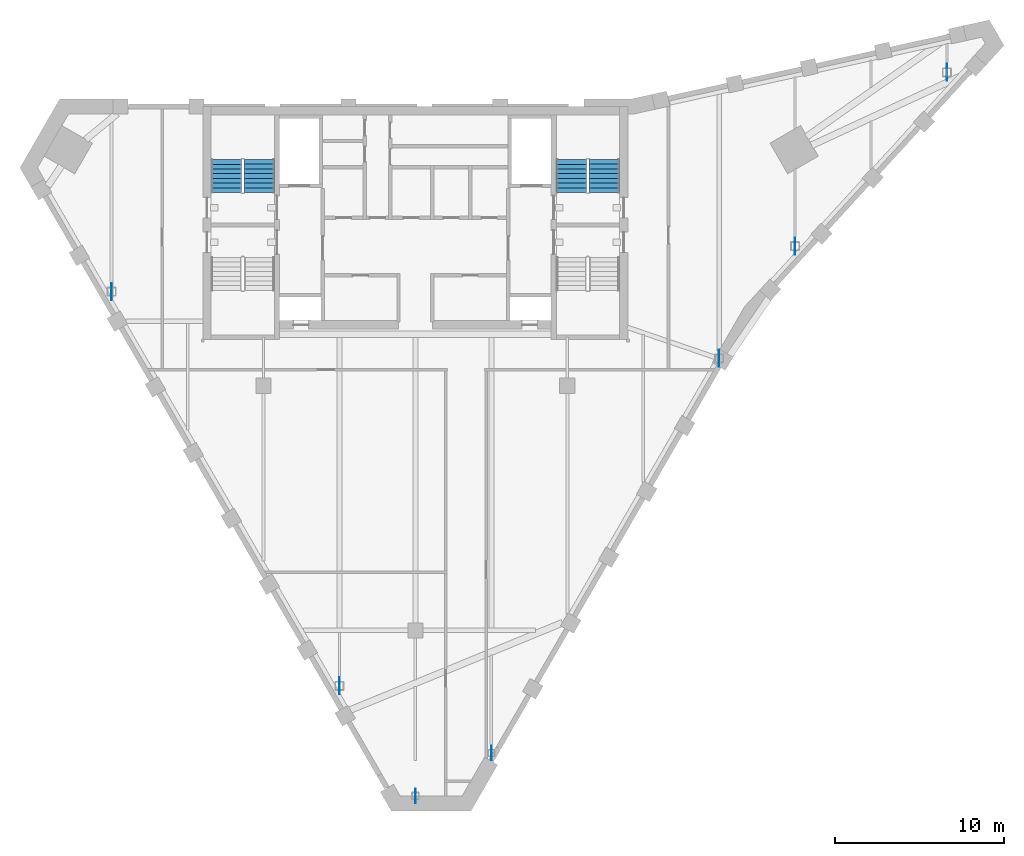
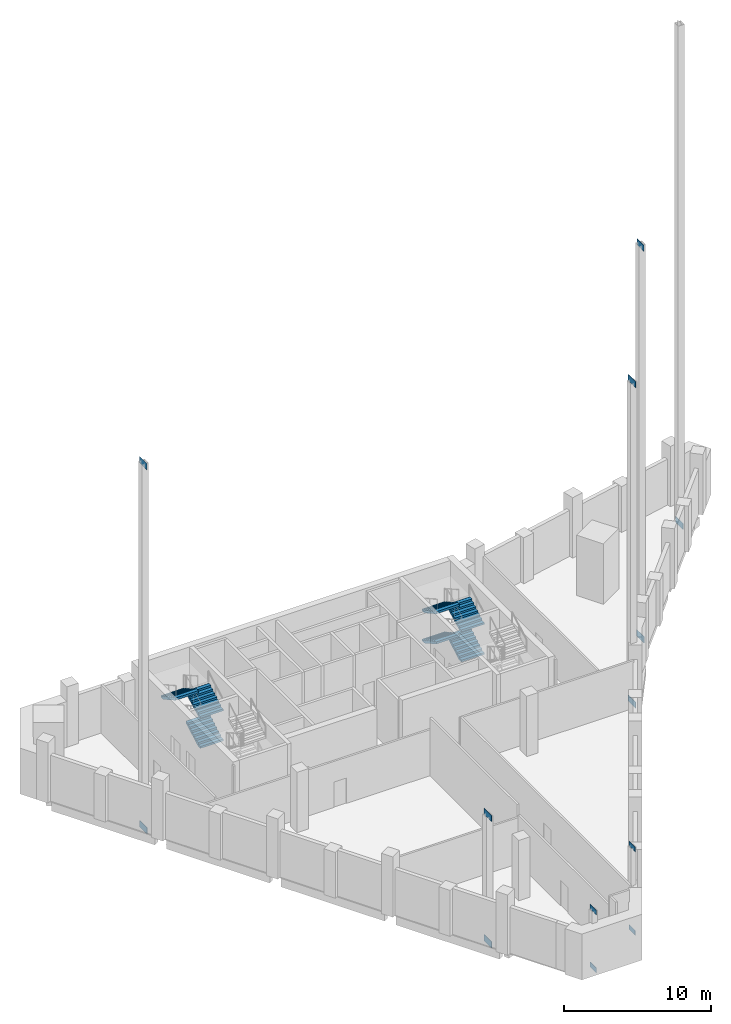
# One storey, part 8 of 11: 13 discrete accessories, 7 stair flights, 2 elements without a shape of their own.
"""IFC4 building model written with IfcOpenShell, lengths in metres."""

import ifcopenshell
import ifcopenshell.guid

model = None  # the IFC model being written
_history = None  # IfcOwnerHistory: only IFC2X3 demands one
_inside = {}  # id of a spatial element -> (the spatial element, [elements in it])
_under = {}  # id of a project, library or spatial element -> (it, [spatial elements below it])
_declared = {}  # id of a project -> (the project, [libraries it declares])
_typed = {}  # id of a type object -> (the type object, [elements of that type])
_made_of = {}  # id of a material, layer set ... -> (it, [elements and type objects made of it])


def new_model(schema):
    """Start an empty IFC model of exactly this schema.

    Asked for "IFC4X3", IfcOpenShell would pick the latest addendum, in which some entities
    have other attributes; the version numbers below select the first issue.
    IFC2X3 requires an IfcOwnerHistory on every rooted entity: one is made here for all.
    """
    global model, _history
    if schema == "IFC4X3":
        model = ifcopenshell.file(schema_version=(4, 3, 0, 0))
    else:
        model = ifcopenshell.file(schema=schema)
    _inside.clear()
    _under.clear()
    _declared.clear()
    _typed.clear()
    _made_of.clear()
    _history = None
    if model.schema == "IFC2X3":
        org = make("IfcOrganization", Name="unknown")
        user = make(
            "IfcPersonAndOrganization",
            ThePerson=make("IfcPerson", FamilyName="unknown"),
            TheOrganization=org,
        )
        app = make(
            "IfcApplication",
            ApplicationDeveloper=org,
            Version="unknown",
            ApplicationFullName="unknown",
            ApplicationIdentifier="unknown",
        )
        _history = make(
            "IfcOwnerHistory",
            OwningUser=user,
            OwningApplication=app,
            ChangeAction="ADDED",
            CreationDate=0,
        )
    return model


def make(cls, **values):
    """One entity of the class cls with the attributes given. An attribute that is None is left unset."""
    return model.create_entity(
        cls, **{name: value for name, value in values.items() if value is not None}
    )


def rooted(cls, **values):
    """An entity with a GlobalId (a new one), such as an element, a storey or a relation."""
    return make(cls, GlobalId=ifcopenshell.guid.new(), OwnerHistory=_history, **values)


def si_unit(unit_type, name, prefix=None):
    """IfcSIUnit, for example si_unit("LENGTHUNIT", "METRE", prefix="MILLI")."""
    return make("IfcSIUnit", UnitType=unit_type, Prefix=prefix, Name=name)


def assignment(units):
    """IfcUnitAssignment: the units of a project."""
    return None if units is None else make("IfcUnitAssignment", Units=units)


def point(xyz):
    """IfcCartesianPoint."""
    return None if xyz is None else make("IfcCartesianPoint", Coordinates=xyz)


def direction(xyz):
    """IfcDirection."""
    return None if xyz is None else make("IfcDirection", DirectionRatios=xyz)


def frame(location, z_axis=None, x_axis=None):
    """IfcAxis2Placement3D, a coordinate frame: its origin and axes. An axis left out is left unset."""
    return make(
        "IfcAxis2Placement3D",
        Location=point(location),
        Axis=direction(z_axis),
        RefDirection=direction(x_axis),
    )


def frame_2d(location, x_axis=None):
    """IfcAxis2Placement2D, a coordinate frame in the plane: its origin and x axis."""
    return make(
        "IfcAxis2Placement2D", Location=point(location), RefDirection=direction(x_axis)
    )


def origin():
    """The frame at (0, 0, 0) with its axes left unset."""
    return frame((0.0, 0.0, 0.0))


def origin_2d():
    """The frame at (0, 0) in the plane with its x axis left unset."""
    return frame_2d((0.0, 0.0))


def place(relative_to, where):
    """IfcLocalPlacement: puts the frame where relative to a parent placement (None: the world)."""
    return make(
        "IfcLocalPlacement", PlacementRelTo=relative_to, RelativePlacement=where
    )


def context(
    kind, dimensions, precision=None, world=None, true_north=None, identifier=None
):
    """IfcGeometricRepresentationContext, for example the 3D "Model" context."""
    return make(
        "IfcGeometricRepresentationContext",
        ContextIdentifier=identifier,
        ContextType=kind,
        CoordinateSpaceDimension=dimensions,
        Precision=precision,
        WorldCoordinateSystem=world,
        TrueNorth=true_north,
    )


def subcontext(parent, identifier, kind, view, scale=None):
    """IfcGeometricRepresentationSubContext, for example "Body" below "Model"."""
    return make(
        "IfcGeometricRepresentationSubContext",
        ContextIdentifier=identifier,
        ContextType=kind,
        ParentContext=parent,
        TargetScale=scale,
        TargetView=view,
    )


def project(units=None, contexts=None):
    """IfcProject with its units and contexts."""
    return rooted(
        "IfcProject",
        Name="project",
        RepresentationContexts=contexts,
        UnitsInContext=assignment(units),
    )


def spatial(cls, under=None, at=None, **own):
    """A site, building, storey or space (cls), placed at a placement, below another one or the project."""
    s = rooted(cls, ObjectPlacement=at, **own)
    if under is not None:
        _under.setdefault(under.id(), (under, []))[1].append(s)
    return s


def profile(cls, at=None, kind="AREA", **sizes):
    """A parametric profile (cls). Its sizes go by their IFC names, for example OverallWidth=200.0."""
    return make(cls, ProfileType=kind, Position=at, **sizes)


def rectangle(**sizes):
    """IfcRectangleProfileDef."""
    return profile("IfcRectangleProfileDef", **sizes)


def extrude(swept, where, along, depth):
    """IfcExtrudedAreaSolid: the profile swept, set in the frame where, extruded along a direction by depth."""
    return make(
        "IfcExtrudedAreaSolid",
        SweptArea=swept,
        Position=where,
        ExtrudedDirection=direction(along),
        Depth=depth,
    )


def faces_of(points, faces, orient=None, outer=None):
    """IfcFace entities. A face is a list of loops; a loop is a list of indices into points, from 0.

    orient and outer hold one flag for each loop. By default every Orientation is true, the
    first loop of a face is its IfcFaceOuterBound and the others are IfcFaceBound.
    """
    made = []
    for i, loops in enumerate(faces):
        bounds = []
        for j, loop in enumerate(loops):
            is_outer = j == 0 if outer is None else outer[i][j]
            bounds.append(
                make(
                    "IfcFaceOuterBound" if is_outer else "IfcFaceBound",
                    Bound=make("IfcPolyLoop", Polygon=[points[k] for k in loop]),
                    Orientation=True if orient is None else orient[i][j],
                )
            )
        made.append(make("IfcFace", Bounds=bounds))
    return made


def faceted_brep(points, faces, orient=None, outer=None, voids=None):
    """IfcFacetedBrep: a solid bounded by flat faces; with voids (closed shells), ...WithVoids."""
    shared = [point(p) for p in points]
    hull = make("IfcClosedShell", CfsFaces=faces_of(shared, faces, orient, outer))
    if voids is None:
        return make("IfcFacetedBrep", Outer=hull)
    return make(
        "IfcFacetedBrepWithVoids",
        Outer=hull,
        Voids=[
            make(cls, CfsFaces=faces_of(shared, fs, o, b)) for cls, fs, o, b in voids
        ],
    )


def shape(context_of_items, identifier, shape_type, items):
    """IfcShapeRepresentation: the items that make up one representation, for example the "Body"."""
    return make(
        "IfcShapeRepresentation",
        ContextOfItems=context_of_items,
        RepresentationIdentifier=identifier,
        RepresentationType=shape_type,
        Items=items,
    )


def source(mapping_origin, context_of_items, identifier, shape_type, items):
    """IfcRepresentationMap: a shape defined once, which mapped items show again and again."""
    return make(
        "IfcRepresentationMap",
        MappingOrigin=mapping_origin,
        MappedRepresentation=shape(context_of_items, identifier, shape_type, items),
    )


def transform(
    local_origin,
    x_axis=None,
    y_axis=None,
    z_axis=None,
    scale=None,
    scale2=None,
    scale3=None,
    uniform=True,
):
    """IfcCartesianTransformationOperator3D, or its non-uniform kind. x_axis, y_axis, z_axis: its Axis1, 2, 3."""
    if uniform:
        return make(
            "IfcCartesianTransformationOperator3D",
            Axis1=direction(x_axis),
            Axis2=direction(y_axis),
            LocalOrigin=point(local_origin),
            Scale=scale,
            Axis3=direction(z_axis),
        )
    return make(
        "IfcCartesianTransformationOperator3DnonUniform",
        Axis1=direction(x_axis),
        Axis2=direction(y_axis),
        LocalOrigin=point(local_origin),
        Scale=scale,
        Axis3=direction(z_axis),
        Scale2=scale2,
        Scale3=scale3,
    )


def mapped(mapping_source, mapping_target):
    """IfcMappedItem: shows the shape of a source again, moved by a transform."""
    return make(
        "IfcMappedItem", MappingSource=mapping_source, MappingTarget=mapping_target
    )


def material(Name=None, Category=None):
    """IfcMaterial."""
    return make("IfcMaterial", Name=Name, Category=Category)


def made_of(thing, what):
    """Note that an element or type object is made of a material, layer set ...; save() writes the relation."""
    if what is not None:
        _made_of.setdefault(what.id(), (what, []))[1].append(thing)
    return thing


def type_object(cls, material=None, **own):
    """A type object (cls), such as IfcWallType, which elements share."""
    return made_of(rooted(cls, **own), material)


def element(
    cls,
    number,
    at=None,
    inside=None,
    cuts=None,
    type_object=None,
    material=None,
    context=None,
    identifier="Body",
    shape_type=None,
    held_by="IfcProductDefinitionShape",
    body=None,
    shapes=None,
    **own,
):
    """One element of the class cls, such as IfcWall. Its Tag is "e" and its number.

    at: its placement. inside: the storey or other place that contains it. cuts: it is an
    opening in that element (IfcRelVoidsElement). A single representation is given by context,
    identifier, shape_type and body (its items); several are given by shapes. held_by: the class
    of the entity that holds the representations. save() writes the other relations.
    """
    e = rooted(cls, Tag="e%d" % number, ObjectPlacement=at, **own)
    if body is not None:
        shapes = [shape(context, identifier, shape_type, body)]
    if shapes is not None:
        e.Representation = make(held_by, Representations=shapes)
    if inside is not None:
        _inside.setdefault(inside.id(), (inside, []))[1].append(e)
    if cuts is not None:
        rooted(
            "IfcRelVoidsElement", RelatingBuildingElement=cuts, RelatedOpeningElement=e
        )
    if type_object is not None:
        _typed.setdefault(type_object.id(), (type_object, []))[1].append(e)
    return made_of(e, material)


def aggregate(whole, parts):
    """IfcRelAggregates: a whole, such as a stair, and the parts it consists of."""
    return rooted("IfcRelAggregates", RelatingObject=whole, RelatedObjects=parts)


def save(model, path):
    """Write the relations noted so far, then the file.

    IfcRelAggregates (storeys below a building ...), IfcRelContainedInSpatialStructure (elements
    in a storey), IfcRelDefinesByType, IfcRelAssociatesMaterial and IfcRelDeclares: one each for
    every whole, place, type object, material and project.
    """
    for whole, parts in _under.values():
        aggregate(whole, parts)
    for where, things in _inside.values():
        rooted(
            "IfcRelContainedInSpatialStructure",
            RelatedElements=things,
            RelatingStructure=where,
        )
    for kind, things in _typed.values():
        rooted("IfcRelDefinesByType", RelatedObjects=things, RelatingType=kind)
    for what, things in _made_of.values():
        rooted("IfcRelAssociatesMaterial", RelatedObjects=things, RelatingMaterial=what)
    for by, libraries in _declared.values():
        rooted("IfcRelDeclares", RelatingContext=by, RelatedDefinitions=libraries)
    model.write(path)


model = new_model("IFC4")

# Units and contexts
model_context = context("Model", 3, precision=1e-05, world=origin(), true_north=direction((0.0, 1.0)))
body_context = subcontext(model_context, "Body", "Model", "MODEL_VIEW")
ifc_project = project(units=[si_unit("LENGTHUNIT", "METRE"), si_unit("AREAUNIT", "SQUARE_METRE"), si_unit("VOLUMEUNIT", "CUBIC_METRE"), si_unit("PLANEANGLEUNIT", "RADIAN"), si_unit("MASSUNIT", "GRAM", prefix="KILO")], contexts=[model_context])

# Site, building, storey
site_placement = place(None, origin())
site = spatial("IfcSite", under=ifc_project, at=site_placement, CompositionType="ELEMENT")
building_placement = place(site_placement, origin())
building = spatial("IfcBuilding", under=site, at=building_placement, Name="Calabash Gate Tower", CompositionType="ELEMENT")
storey_placement = place(building_placement, frame((0.0, 0.0, 310.5)))
storey = spatial("IfcBuildingStorey", under=building, at=storey_placement, Name="L73", CompositionType="ELEMENT", Elevation=310.5)

# Stair, stair flights
ifc_material_1 = material(Name="Concrete C40/50", Category="concrete")
stair_type = type_object("IfcStairType", Name="Exit stair 32 risers of 156.2 mm", PredefinedType="HALF_TURN_STAIR", material=ifc_material_1)
stair_1_placement = place(storey_placement, origin())
stair_1 = element("IfcStair", 1, at=stair_1_placement, inside=storey, type_object=stair_type, Name="L73 Exit stair ST1", PredefinedType="HALF_TURN_STAIR")
ifc_material_2 = material(Name="Concrete C40/50", Category="concrete")
stair_flight_type = type_object("IfcStairFlightType", Name="Exit stair flight SFL", PredefinedType="STRAIGHT", material=ifc_material_2)
shared_shape = source(origin(), body_context, "Body", "Brep", [
    faceted_brep([(-0.0009765625, -0.89990234375, 0.0), (0.306884765625, -0.89990234375, 0.0), (1.9541015625, -0.89990234375, 0.921875), (-0.0009765625, 0.89990234375, 0.0), (1.9541015625, 0.89990234375, 0.921875), (0.306884765625, 0.89990234375, 0.0), (1.9541015625, -0.89990234375, 1.105712890625), (1.952880859375, -0.89990234375, 1.105712890625), (1.952880859375, 0.89990234375, 1.105712890625), (1.9541015625, 0.89990234375, 1.105712890625), (1.952880859375, -0.89990234375, 1.09375), (1.952880859375, 0.89990234375, 1.09375), (1.674072265625, -0.89990234375, 1.09375), (1.674072265625, 0.89990234375, 1.09375), (1.674072265625, -0.89990234375, 0.9375), (1.674072265625, 0.89990234375, 0.9375), (1.39501953125, -0.89990234375, 0.9375), (1.39501953125, 0.89990234375, 0.9375), (1.39501953125, -0.89990234375, 0.78125), (1.39501953125, 0.89990234375, 0.78125), (1.115966796875, -0.89990234375, 0.78125), (1.115966796875, -0.89990234375, 0.625), (1.115966796875, 0.89990234375, 0.625), (1.115966796875, 0.89990234375, 0.78125), (0.8369140625, -0.89990234375, 0.625), (0.8369140625, -0.89990234375, 0.46875), (0.8369140625, 0.89990234375, 0.46875), (0.8369140625, 0.89990234375, 0.625), (0.55810546875, -0.89990234375, 0.46875), (0.55810546875, -0.89990234375, 0.3125), (0.55810546875, 0.89990234375, 0.3125), (0.55810546875, 0.89990234375, 0.46875), (0.279052734375, -0.89990234375, 0.3125), (0.279052734375, -0.89990234375, 0.15625), (0.279052734375, 0.89990234375, 0.15625), (0.279052734375, 0.89990234375, 0.3125), (-0.0009765625, -0.89990234375, 0.15625), (-0.0009765625, 0.89990234375, 0.15625), (0.306884765625, -0.360107421875, 0.0), (1.9541015625, -0.360107421875, 0.921875), (0.306884765625, -0.27001953125, 0.0), (1.9541015625, -0.27001953125, 0.921875), (0.306884765625, -0.179931640625, 0.0), (1.9541015625, -0.179931640625, 0.921875), (0.306884765625, -0.090087890625, 0.0), (1.9541015625, -0.090087890625, 0.921875), (0.306884765625, 0.0, 0.0), (1.9541015625, 0.0, 0.921875), (0.306884765625, 0.090087890625, 0.0), (1.9541015625, 0.090087890625, 0.921875), (0.306884765625, 0.179931640625, 0.0), (1.9541015625, 0.179931640625, 0.921875), (0.306884765625, 0.27001953125, 0.0), (1.9541015625, 0.27001953125, 0.921875), (0.306884765625, 0.360107421875, 0.0), (1.9541015625, 0.360107421875, 0.921875), (1.9541015625, -0.360107421875, 1.105712890625), (1.9541015625, -0.27001953125, 1.105712890625), (1.9541015625, -0.179931640625, 1.105712890625), (1.9541015625, -0.090087890625, 1.105712890625), (1.9541015625, 0.0, 1.105712890625), (1.9541015625, 0.090087890625, 1.105712890625), (1.9541015625, 0.179931640625, 1.105712890625), (1.9541015625, 0.27001953125, 1.105712890625), (1.9541015625, 0.360107421875, 1.105712890625), (1.952880859375, -0.360107421875, 1.105712890625), (1.952880859375, -0.27001953125, 1.105712890625), (1.952880859375, -0.179931640625, 1.105712890625), (1.952880859375, -0.090087890625, 1.105712890625), (1.952880859375, 0.0, 1.105712890625), (1.952880859375, 0.090087890625, 1.105712890625), (1.952880859375, 0.179931640625, 1.105712890625), (1.952880859375, 0.27001953125, 1.105712890625), (1.952880859375, 0.360107421875, 1.105712890625), (1.952880859375, -0.360107421875, 1.09375), (1.952880859375, -0.27001953125, 1.09375), (1.952880859375, -0.179931640625, 1.09375), (1.952880859375, -0.090087890625, 1.09375), (1.952880859375, 0.0, 1.09375), (1.952880859375, 0.090087890625, 1.09375), (1.952880859375, 0.179931640625, 1.09375), (1.952880859375, 0.27001953125, 1.09375), (1.952880859375, 0.360107421875, 1.09375), (1.674072265625, -0.360107421875, 1.09375), (1.674072265625, -0.27001953125, 1.09375), (1.674072265625, -0.179931640625, 1.09375), (1.674072265625, -0.090087890625, 1.09375), (1.674072265625, 0.0, 1.09375), (1.674072265625, 0.090087890625, 1.09375), (1.674072265625, 0.179931640625, 1.09375), (1.674072265625, 0.27001953125, 1.09375), (1.674072265625, 0.360107421875, 1.09375), (1.674072265625, -0.360107421875, 0.9375), (1.674072265625, -0.27001953125, 0.9375), (1.674072265625, -0.179931640625, 0.9375), (1.674072265625, -0.090087890625, 0.9375), (1.674072265625, 0.0, 0.9375), (1.674072265625, 0.090087890625, 0.9375), (1.674072265625, 0.179931640625, 0.9375), (1.674072265625, 0.27001953125, 0.9375), (1.674072265625, 0.360107421875, 0.9375), (1.39501953125, -0.360107421875, 0.9375), (1.39501953125, -0.27001953125, 0.9375), (1.39501953125, -0.179931640625, 0.9375), (1.39501953125, -0.090087890625, 0.9375), (1.39501953125, 0.0, 0.9375), (1.39501953125, 0.090087890625, 0.9375), (1.39501953125, 0.179931640625, 0.9375), (1.39501953125, 0.27001953125, 0.9375), (1.39501953125, 0.360107421875, 0.9375), (1.39501953125, -0.360107421875, 0.78125), (1.39501953125, -0.27001953125, 0.78125), (1.39501953125, -0.179931640625, 0.78125), (1.39501953125, -0.090087890625, 0.78125), (1.39501953125, 0.0, 0.78125), (1.39501953125, 0.090087890625, 0.78125), (1.39501953125, 0.179931640625, 0.78125), (1.39501953125, 0.27001953125, 0.78125), (1.39501953125, 0.360107421875, 0.78125), (1.115966796875, -0.360107421875, 0.78125), (1.115966796875, -0.27001953125, 0.78125), (1.115966796875, -0.179931640625, 0.78125), (1.115966796875, -0.090087890625, 0.78125), (1.115966796875, 0.0, 0.78125), (1.115966796875, 0.090087890625, 0.78125), (1.115966796875, 0.179931640625, 0.78125), (1.115966796875, 0.27001953125, 0.78125), (1.115966796875, 0.360107421875, 0.78125), (1.115966796875, -0.360107421875, 0.625), (1.115966796875, -0.27001953125, 0.625), (1.115966796875, -0.179931640625, 0.625), (1.115966796875, -0.090087890625, 0.625), (1.115966796875, 0.0, 0.625), (1.115966796875, 0.090087890625, 0.625), (1.115966796875, 0.179931640625, 0.625), (1.115966796875, 0.27001953125, 0.625), (1.115966796875, 0.360107421875, 0.625), (0.8369140625, -0.360107421875, 0.625), (0.8369140625, -0.27001953125, 0.625), (0.8369140625, -0.179931640625, 0.625), (0.8369140625, -0.090087890625, 0.625), (0.8369140625, 0.0, 0.625), (0.8369140625, 0.090087890625, 0.625), (0.8369140625, 0.179931640625, 0.625), (0.8369140625, 0.27001953125, 0.625), (0.8369140625, 0.360107421875, 0.625), (0.8369140625, -0.360107421875, 0.46875), (0.8369140625, -0.27001953125, 0.46875), (0.8369140625, -0.179931640625, 0.46875), (0.8369140625, -0.090087890625, 0.46875), (0.8369140625, 0.0, 0.46875), (0.8369140625, 0.090087890625, 0.46875), (0.8369140625, 0.179931640625, 0.46875), (0.8369140625, 0.27001953125, 0.46875), (0.8369140625, 0.360107421875, 0.46875), (0.55810546875, -0.360107421875, 0.46875), (0.55810546875, -0.27001953125, 0.46875), (0.55810546875, -0.179931640625, 0.46875), (0.55810546875, -0.090087890625, 0.46875), (0.55810546875, 0.0, 0.46875), (0.55810546875, 0.090087890625, 0.46875), (0.55810546875, 0.179931640625, 0.46875), (0.55810546875, 0.27001953125, 0.46875), (0.55810546875, 0.360107421875, 0.46875), (0.55810546875, -0.360107421875, 0.3125), (0.55810546875, -0.27001953125, 0.3125), (0.55810546875, -0.179931640625, 0.3125), (0.55810546875, -0.090087890625, 0.3125), (0.55810546875, 0.0, 0.3125), (0.55810546875, 0.090087890625, 0.3125), (0.55810546875, 0.179931640625, 0.3125), (0.55810546875, 0.27001953125, 0.3125), (0.55810546875, 0.360107421875, 0.3125), (0.279052734375, -0.360107421875, 0.3125), (0.279052734375, -0.27001953125, 0.3125), (0.279052734375, -0.179931640625, 0.3125), (0.279052734375, -0.090087890625, 0.3125), (0.279052734375, 0.0, 0.3125), (0.279052734375, 0.090087890625, 0.3125), (0.279052734375, 0.179931640625, 0.3125), (0.279052734375, 0.27001953125, 0.3125), (0.279052734375, 0.360107421875, 0.3125), (0.279052734375, -0.360107421875, 0.15625), (0.279052734375, -0.27001953125, 0.15625), (0.279052734375, -0.179931640625, 0.15625), (0.279052734375, -0.090087890625, 0.15625), (0.279052734375, 0.0, 0.15625), (0.279052734375, 0.090087890625, 0.15625), (0.279052734375, 0.179931640625, 0.15625), (0.279052734375, 0.27001953125, 0.15625), (0.279052734375, 0.360107421875, 0.15625), (-0.0009765625, -0.360107421875, 0.15625), (-0.0009765625, -0.27001953125, 0.15625), (-0.0009765625, -0.179931640625, 0.15625), (-0.0009765625, -0.090087890625, 0.15625), (-0.0009765625, 0.0, 0.15625), (-0.0009765625, 0.090087890625, 0.15625), (-0.0009765625, 0.179931640625, 0.15625), (-0.0009765625, 0.27001953125, 0.15625), (-0.0009765625, 0.360107421875, 0.15625), (-0.0009765625, -0.360107421875, 0.0), (-0.0009765625, -0.27001953125, 0.0), (-0.0009765625, -0.179931640625, 0.0), (-0.0009765625, -0.090087890625, 0.0), (-0.0009765625, 0.0, 0.0), (-0.0009765625, 0.090087890625, 0.0), (-0.0009765625, 0.179931640625, 0.0), (-0.0009765625, 0.27001953125, 0.0), (-0.0009765625, 0.360107421875, 0.0)], [[[0, 1, 2]], [[3, 4, 5]], [[2, 6, 7]], [[4, 8, 9]], [[2, 7, 10]], [[4, 11, 8]], [[2, 10, 12]], [[4, 13, 11]], [[2, 12, 14]], [[4, 15, 13]], [[2, 14, 16]], [[4, 17, 15]], [[2, 16, 18]], [[4, 19, 17]], [[18, 20, 21]], [[19, 22, 23]], [[2, 18, 21]], [[4, 22, 19]], [[21, 24, 25]], [[22, 26, 27]], [[2, 21, 25]], [[4, 26, 22]], [[25, 28, 29]], [[26, 30, 31]], [[2, 25, 29]], [[4, 30, 26]], [[29, 32, 33]], [[30, 34, 35]], [[2, 29, 33]], [[4, 34, 30]], [[0, 2, 33]], [[3, 34, 4]], [[33, 36, 0]], [[34, 3, 37]], [[1, 38, 2]], [[38, 39, 2]], [[38, 40, 39]], [[40, 41, 39]], [[40, 42, 41]], [[42, 43, 41]], [[42, 44, 43]], [[44, 45, 43]], [[44, 46, 45]], [[46, 47, 45]], [[46, 48, 49]], [[46, 49, 47]], [[48, 50, 51]], [[48, 51, 49]], [[50, 52, 53]], [[50, 53, 51]], [[52, 54, 55]], [[52, 55, 53]], [[54, 5, 4]], [[54, 4, 55]], [[2, 39, 6]], [[39, 56, 6]], [[39, 41, 56]], [[41, 57, 56]], [[41, 43, 57]], [[43, 58, 57]], [[43, 45, 58]], [[45, 59, 58]], [[45, 47, 59]], [[47, 60, 59]], [[47, 49, 61]], [[47, 61, 60]], [[49, 51, 62]], [[49, 62, 61]], [[51, 53, 63]], [[51, 63, 62]], [[53, 55, 64]], [[53, 64, 63]], [[55, 4, 9]], [[55, 9, 64]], [[6, 56, 7]], [[56, 65, 7]], [[56, 57, 65]], [[57, 66, 65]], [[57, 58, 66]], [[58, 67, 66]], [[58, 59, 67]], [[59, 68, 67]], [[59, 60, 68]], [[60, 69, 68]], [[60, 61, 70]], [[60, 70, 69]], [[61, 62, 71]], [[61, 71, 70]], [[62, 63, 72]], [[62, 72, 71]], [[63, 64, 73]], [[63, 73, 72]], [[64, 9, 8]], [[64, 8, 73]], [[7, 65, 10]], [[65, 74, 10]], [[65, 66, 74]], [[66, 75, 74]], [[66, 67, 75]], [[67, 76, 75]], [[67, 68, 76]], [[68, 77, 76]], [[68, 69, 77]], [[69, 78, 77]], [[69, 70, 79]], [[69, 79, 78]], [[70, 71, 80]], [[70, 80, 79]], [[71, 72, 81]], [[71, 81, 80]], [[72, 73, 82]], [[72, 82, 81]], [[73, 8, 11]], [[73, 11, 82]], [[10, 74, 12]], [[74, 83, 12]], [[74, 75, 83]], [[75, 84, 83]], [[75, 76, 84]], [[76, 85, 84]], [[76, 77, 85]], [[77, 86, 85]], [[77, 78, 86]], [[78, 87, 86]], [[78, 79, 88]], [[78, 88, 87]], [[79, 80, 89]], [[79, 89, 88]], [[80, 81, 90]], [[80, 90, 89]], [[81, 82, 91]], [[81, 91, 90]], [[82, 11, 13]], [[82, 13, 91]], [[12, 83, 14]], [[83, 92, 14]], [[83, 84, 92]], [[84, 93, 92]], [[84, 85, 93]], [[85, 94, 93]], [[85, 86, 94]], [[86, 95, 94]], [[86, 87, 95]], [[87, 96, 95]], [[87, 88, 97]], [[87, 97, 96]], [[88, 89, 98]], [[88, 98, 97]], [[89, 90, 99]], [[89, 99, 98]], [[90, 91, 100]], [[90, 100, 99]], [[91, 13, 15]], [[91, 15, 100]], [[14, 92, 16]], [[92, 101, 16]], [[92, 93, 101]], [[93, 102, 101]], [[93, 94, 102]], [[94, 103, 102]], [[94, 95, 103]], [[95, 104, 103]], [[95, 96, 104]], [[96, 105, 104]], [[96, 97, 106]], [[96, 106, 105]], [[97, 98, 107]], [[97, 107, 106]], [[98, 99, 108]], [[98, 108, 107]], [[99, 100, 109]], [[99, 109, 108]], [[100, 15, 17]], [[100, 17, 109]], [[16, 101, 18]], [[101, 110, 18]], [[101, 102, 110]], [[102, 111, 110]], [[102, 103, 111]], [[103, 112, 111]], [[103, 104, 112]], [[104, 113, 112]], [[104, 105, 113]], [[105, 114, 113]], [[105, 106, 115]], [[105, 115, 114]], [[106, 107, 116]], [[106, 116, 115]], [[107, 108, 117]], [[107, 117, 116]], [[108, 109, 118]], [[108, 118, 117]], [[109, 17, 19]], [[109, 19, 118]], [[18, 110, 20]], [[110, 119, 20]], [[110, 111, 119]], [[111, 120, 119]], [[111, 112, 120]], [[112, 121, 120]], [[112, 113, 121]], [[113, 122, 121]], [[113, 114, 122]], [[114, 123, 122]], [[114, 115, 124]], [[114, 124, 123]], [[115, 116, 125]], [[115, 125, 124]], [[116, 117, 126]], [[116, 126, 125]], [[117, 118, 127]], [[117, 127, 126]], [[118, 19, 23]], [[118, 23, 127]], [[20, 119, 21]], [[119, 128, 21]], [[119, 120, 128]], [[120, 129, 128]], [[120, 121, 129]], [[121, 130, 129]], [[121, 122, 130]], [[122, 131, 130]], [[122, 123, 131]], [[123, 132, 131]], [[123, 124, 133]], [[123, 133, 132]], [[124, 125, 134]], [[124, 134, 133]], [[125, 126, 135]], [[125, 135, 134]], [[126, 127, 136]], [[126, 136, 135]], [[127, 23, 22]], [[127, 22, 136]], [[21, 128, 24]], [[128, 137, 24]], [[128, 129, 137]], [[129, 138, 137]], [[129, 130, 138]], [[130, 139, 138]], [[130, 131, 139]], [[131, 140, 139]], [[131, 132, 140]], [[132, 141, 140]], [[132, 133, 142]], [[132, 142, 141]], [[133, 134, 143]], [[133, 143, 142]], [[134, 135, 144]], [[134, 144, 143]], [[135, 136, 145]], [[135, 145, 144]], [[136, 22, 27]], [[136, 27, 145]], [[24, 137, 25]], [[137, 146, 25]], [[137, 138, 146]], [[138, 147, 146]], [[138, 139, 147]], [[139, 148, 147]], [[139, 140, 148]], [[140, 149, 148]], [[140, 141, 149]], [[141, 150, 149]], [[141, 142, 151]], [[141, 151, 150]], [[142, 143, 152]], [[142, 152, 151]], [[143, 144, 153]], [[143, 153, 152]], [[144, 145, 154]], [[144, 154, 153]], [[145, 27, 26]], [[145, 26, 154]], [[25, 146, 28]], [[146, 155, 28]], [[146, 147, 155]], [[147, 156, 155]], [[147, 148, 156]], [[148, 157, 156]], [[148, 149, 157]], [[149, 158, 157]], [[149, 150, 158]], [[150, 159, 158]], [[150, 151, 160]], [[150, 160, 159]], [[151, 152, 161]], [[151, 161, 160]], [[152, 153, 162]], [[152, 162, 161]], [[153, 154, 163]], [[153, 163, 162]], [[154, 26, 31]], [[154, 31, 163]], [[28, 155, 29]], [[155, 164, 29]], [[155, 156, 164]], [[156, 165, 164]], [[156, 157, 165]], [[157, 166, 165]], [[157, 158, 166]], [[158, 167, 166]], [[158, 159, 167]], [[159, 168, 167]], [[159, 160, 169]], [[159, 169, 168]], [[160, 161, 170]], [[160, 170, 169]], [[161, 162, 171]], [[161, 171, 170]], [[162, 163, 172]], [[162, 172, 171]], [[163, 31, 30]], [[163, 30, 172]], [[29, 164, 32]], [[164, 173, 32]], [[164, 165, 173]], [[165, 174, 173]], [[165, 166, 174]], [[166, 175, 174]], [[166, 167, 175]], [[167, 176, 175]], [[167, 168, 176]], [[168, 177, 176]], [[168, 169, 178]], [[168, 178, 177]], [[169, 170, 179]], [[169, 179, 178]], [[170, 171, 180]], [[170, 180, 179]], [[171, 172, 181]], [[171, 181, 180]], [[172, 30, 35]], [[172, 35, 181]], [[32, 173, 33]], [[173, 182, 33]], [[173, 174, 182]], [[174, 183, 182]], [[174, 175, 183]], [[175, 184, 183]], [[175, 176, 184]], [[176, 185, 184]], [[176, 177, 185]], [[177, 186, 185]], [[177, 178, 187]], [[177, 187, 186]], [[178, 179, 188]], [[178, 188, 187]], [[179, 180, 189]], [[179, 189, 188]], [[180, 181, 190]], [[180, 190, 189]], [[181, 35, 34]], [[181, 34, 190]], [[33, 182, 36]], [[182, 191, 36]], [[182, 183, 191]], [[183, 192, 191]], [[183, 184, 192]], [[184, 193, 192]], [[184, 185, 193]], [[185, 194, 193]], [[185, 186, 194]], [[186, 195, 194]], [[186, 187, 196]], [[186, 196, 195]], [[187, 188, 197]], [[187, 197, 196]], [[188, 189, 198]], [[188, 198, 197]], [[189, 190, 199]], [[189, 199, 198]], [[190, 34, 37]], [[190, 37, 199]], [[36, 191, 0]], [[191, 200, 0]], [[191, 192, 200]], [[192, 201, 200]], [[192, 193, 201]], [[193, 202, 201]], [[193, 194, 202]], [[194, 203, 202]], [[194, 195, 203]], [[195, 204, 203]], [[195, 196, 205]], [[195, 205, 204]], [[196, 197, 206]], [[196, 206, 205]], [[197, 198, 207]], [[197, 207, 206]], [[198, 199, 208]], [[198, 208, 207]], [[199, 37, 3]], [[199, 3, 208]], [[0, 200, 1]], [[200, 38, 1]], [[200, 201, 38]], [[201, 40, 38]], [[201, 202, 40]], [[202, 42, 40]], [[202, 203, 42]], [[203, 44, 42]], [[203, 204, 44]], [[204, 46, 44]], [[204, 205, 48]], [[204, 48, 46]], [[205, 206, 50]], [[205, 50, 48]], [[206, 207, 52]], [[206, 52, 50]], [[207, 208, 54]], [[207, 54, 52]], [[208, 3, 5]], [[208, 5, 54]]]),
])
stair_flight_1_placement = place(storey_placement, frame((-9.25, 13.95263671875, 0.0), z_axis=(0.0, 0.0, 1.0), x_axis=(0.0, 1.0, 0.0)))
stair_flight_1 = element("IfcStairFlight", 2, at=stair_flight_1_placement, type_object=stair_flight_type, Name="ST1 flight 1", NumberOfRisers=8, NumberOfTreads=7, PredefinedType="STRAIGHT", RiserHeight=0.15625, TreadLength=0.279, context=body_context, shape_type="MappedRepresentation", body=[
    mapped(shared_shape, transform((0.0, 0.0, 0.0), scale=1.0)),
])
stair_flight_2_placement = place(storey_placement, frame((-9.25, 13.95263671875, 2.5), z_axis=(0.0, 0.0, 1.0), x_axis=(0.0, 1.0, 0.0)))
stair_flight_2 = element("IfcStairFlight", 3, at=stair_flight_2_placement, type_object=stair_flight_type, Name="ST1 flight 3", NumberOfRisers=8, NumberOfTreads=7, PredefinedType="STRAIGHT", RiserHeight=0.15625, TreadLength=0.279, context=body_context, shape_type="MappedRepresentation", body=[
    mapped(shared_shape, transform((0.0, 0.0, 0.0), scale=1.0)),
])
stair_flight_3_placement = place(storey_placement, frame((-11.199951171875, 15.905517578125, 3.75), z_axis=(0.0, 0.0, 1.0), x_axis=(0.0, -1.0, 0.0)))
stair_flight_3 = element("IfcStairFlight", 4, at=stair_flight_3_placement, type_object=stair_flight_type, Name="ST1 flight 4", NumberOfRisers=8, NumberOfTreads=7, PredefinedType="STRAIGHT", RiserHeight=0.15625, TreadLength=0.279, context=body_context, shape_type="MappedRepresentation", body=[
    mapped(shared_shape, transform((0.0, 0.0, 0.0), scale=1.0)),
])
aggregate(stair_1, [stair_flight_1, stair_flight_2, stair_flight_3])

stair_2_placement = place(storey_placement, origin())
stair_2 = element("IfcStair", 5, at=stair_2_placement, inside=storey, type_object=stair_type, Name="L73 Exit stair ST3", PredefinedType="HALF_TURN_STAIR")
stair_flight_4_placement = place(storey_placement, frame((11.199951171875, 13.95263671875, 0.0), z_axis=(0.0, 0.0, 1.0), x_axis=(0.0, 1.0, 0.0)))
stair_flight_4 = element("IfcStairFlight", 6, at=stair_flight_4_placement, type_object=stair_flight_type, Name="ST3 flight 1", NumberOfRisers=8, NumberOfTreads=7, PredefinedType="STRAIGHT", RiserHeight=0.15625, TreadLength=0.279, context=body_context, shape_type="MappedRepresentation", body=[
    mapped(shared_shape, transform((0.0, 0.0, 0.0), scale=1.0)),
])
stair_flight_5_placement = place(storey_placement, frame((9.25, 15.905517578125, 1.25), z_axis=(0.0, 0.0, 1.0), x_axis=(0.0, -1.0, 0.0)))
stair_flight_5 = element("IfcStairFlight", 7, at=stair_flight_5_placement, type_object=stair_flight_type, Name="ST3 flight 2", NumberOfRisers=8, NumberOfTreads=7, PredefinedType="STRAIGHT", RiserHeight=0.15625, TreadLength=0.279, context=body_context, shape_type="MappedRepresentation", body=[
    mapped(shared_shape, transform((0.0, 0.0, 0.0), scale=1.0)),
])
stair_flight_6_placement = place(storey_placement, frame((11.199951171875, 13.95263671875, 2.5), z_axis=(0.0, 0.0, 1.0), x_axis=(0.0, 1.0, 0.0)))
stair_flight_6 = element("IfcStairFlight", 8, at=stair_flight_6_placement, type_object=stair_flight_type, Name="ST3 flight 3", NumberOfRisers=8, NumberOfTreads=7, PredefinedType="STRAIGHT", RiserHeight=0.15625, TreadLength=0.279, context=body_context, shape_type="MappedRepresentation", body=[
    mapped(shared_shape, transform((0.0, 0.0, 0.0), scale=1.0)),
])
stair_flight_7_placement = place(storey_placement, frame((9.25, 15.905517578125, 3.75), z_axis=(0.0, 0.0, 1.0), x_axis=(0.0, -1.0, 0.0)))
stair_flight_7 = element("IfcStairFlight", 9, at=stair_flight_7_placement, type_object=stair_flight_type, Name="ST3 flight 4", NumberOfRisers=8, NumberOfTreads=7, PredefinedType="STRAIGHT", RiserHeight=0.15625, TreadLength=0.279, context=body_context, shape_type="MappedRepresentation", body=[
    mapped(shared_shape, transform((0.0, 0.0, 0.0), scale=1.0)),
])
aggregate(stair_2, [stair_flight_4, stair_flight_5, stair_flight_6, stair_flight_7])

# Discrete accessories
ifc_material_3 = material(Name="Steel ASTM A572 Gr50", Category="steel")
discrete_accessory_type = type_object("IfcDiscreteAccessoryType", Name="Connection plate 25", PredefinedType="BRACKET", material=ifc_material_3)
discrete_accessory_1_placement = place(storey_placement, frame((-18.0, 8.080078125, -0.4541015625), z_axis=(0.0, 0.0, 1.0), x_axis=(0.0, 1.0, 0.0)))
element("IfcDiscreteAccessory", 10, at=discrete_accessory_1_placement, inside=storey, type_object=discrete_accessory_type, Name="Connection plate Roof post 1 start", PredefinedType="BRACKET", context=body_context, shape_type="SweptSolid", body=[
    extrude(rectangle(XDim=1.0126953125, YDim=0.02490234375, at=origin_2d()), origin(), (0.0, 0.0, 1.0), 0.508056640625),
])
discrete_accessory_2_placement = place(storey_placement, frame((-18.0, 8.080078125, 29.689453125), z_axis=(0.0, 0.0, 1.0), x_axis=(0.0, 1.0, 0.0)))
element("IfcDiscreteAccessory", 11, at=discrete_accessory_2_placement, inside=storey, type_object=discrete_accessory_type, Name="Connection plate Roof post 1 end", PredefinedType="BRACKET", context=body_context, shape_type="SweptSolid", body=[
    extrude(rectangle(XDim=0.962890625, YDim=0.02490234375, at=origin_2d()), origin(), (0.0, 0.0, 1.0), 0.508056640625),
])
for number, where, z_axis, x_axis, name in (
    (12, (-4.5, -15.282958984375, -0.4541015625), (0.0, 0.0, 1.0), (0.0, 1.0, 0.0), "Connection plate Roof post 3 start"),
    (13, (-4.5, -15.282958984375, 9.99853515625), (0.0, 0.0, 1.0), (0.0, 1.0, 0.0), "Connection plate Roof post 3 end"),
):
    element("IfcDiscreteAccessory", number, at=place(storey_placement, frame(where, z_axis=z_axis, x_axis=x_axis)), inside=storey, type_object=discrete_accessory_type, Name=name, PredefinedType="BRACKET", context=body_context, shape_type="SweptSolid", body=[
        extrude(rectangle(XDim=1.0126953125, YDim=0.02490234375, at=origin_2d()), origin(), (0.0, 0.0, 1.0), 0.508056640625),
    ])
for number, where, z_axis, x_axis, name in (
    (14, (0.0, -21.802001953125, -0.203125), (0.0, 0.0, 1.0), (0.0, 1.0, 0.0), "Connection plate Roof post 6 start"),
    (15, (0.0, -21.802001953125, 4.57958984375), (0.0, 0.0, 1.0), (0.0, 1.0, 0.0), "Connection plate Roof post 6 end"),
    (16, (4.5, -19.26318359375, -0.203125), (0.0, 0.0, 1.0), (0.0, 1.0, 0.0), "Connection plate Roof post 8 start"),
    (17, (4.5, -19.26318359375, 6.70947265625), (0.0, 0.0, 1.0), (0.0, 1.0, 0.0), "Connection plate Roof post 8 end"),
):
    element("IfcDiscreteAccessory", number, at=place(storey_placement, frame(where, z_axis=z_axis, x_axis=x_axis)), inside=storey, type_object=discrete_accessory_type, Name=name, PredefinedType="BRACKET", context=body_context, shape_type="SweptSolid", body=[
        extrude(rectangle(XDim=0.850341796875, YDim=0.02490234375, at=origin_2d()), origin(), (0.0, 0.0, 1.0), 0.406494140625),
    ])
for number, where, z_axis, x_axis, name in (
    (18, (18.0, 4.119384765625, -0.25390625), (0.0, 0.0, 1.0), (0.0, 1.0, 0.0), "Connection plate Roof post 11 start"),
    (19, (18.0, 4.119384765625, 26.279296875), (0.0, 0.0, 1.0), (0.0, 1.0, 0.0), "Connection plate Roof post 11 end"),
    (20, (22.5, 10.77197265625, -0.4541015625), (0.0, 0.0, 1.0), (0.0, 1.0, 0.0), "Connection plate Roof post 13 start"),
):
    element("IfcDiscreteAccessory", number, at=place(storey_placement, frame(where, z_axis=z_axis, x_axis=x_axis)), inside=storey, type_object=discrete_accessory_type, Name=name, PredefinedType="BRACKET", context=body_context, shape_type="SweptSolid", body=[
        extrude(rectangle(XDim=1.0126953125, YDim=0.02490234375, at=origin_2d()), origin(), (0.0, 0.0, 1.0), 0.508056640625),
    ])
discrete_accessory_3_placement = place(storey_placement, frame((22.5, 10.77197265625, 31.9482421875), z_axis=(0.0, 0.0, 1.0), x_axis=(0.0, 1.0, 0.0)))
element("IfcDiscreteAccessory", 21, at=discrete_accessory_3_placement, inside=storey, type_object=discrete_accessory_type, Name="Connection plate Roof post 13 end", PredefinedType="BRACKET", context=body_context, shape_type="SweptSolid", body=[
    extrude(rectangle(XDim=0.962890625, YDim=0.02490234375, at=origin_2d()), origin(), (0.0, 0.0, 1.0), 0.508056640625),
])
discrete_accessory_4_placement = place(storey_placement, frame((31.5, 21.068115234375, -0.4541015625), z_axis=(0.0, 0.0, 1.0), x_axis=(0.0, 1.0, 0.0)))
element("IfcDiscreteAccessory", 22, at=discrete_accessory_4_placement, inside=storey, type_object=discrete_accessory_type, Name="Connection plate Roof post 15 start", PredefinedType="BRACKET", context=body_context, shape_type="SweptSolid", body=[
    extrude(rectangle(XDim=1.0126953125, YDim=0.02490234375, at=origin_2d()), origin(), (0.0, 0.0, 1.0), 0.508056640625),
])

save(model, "model.ifc")
